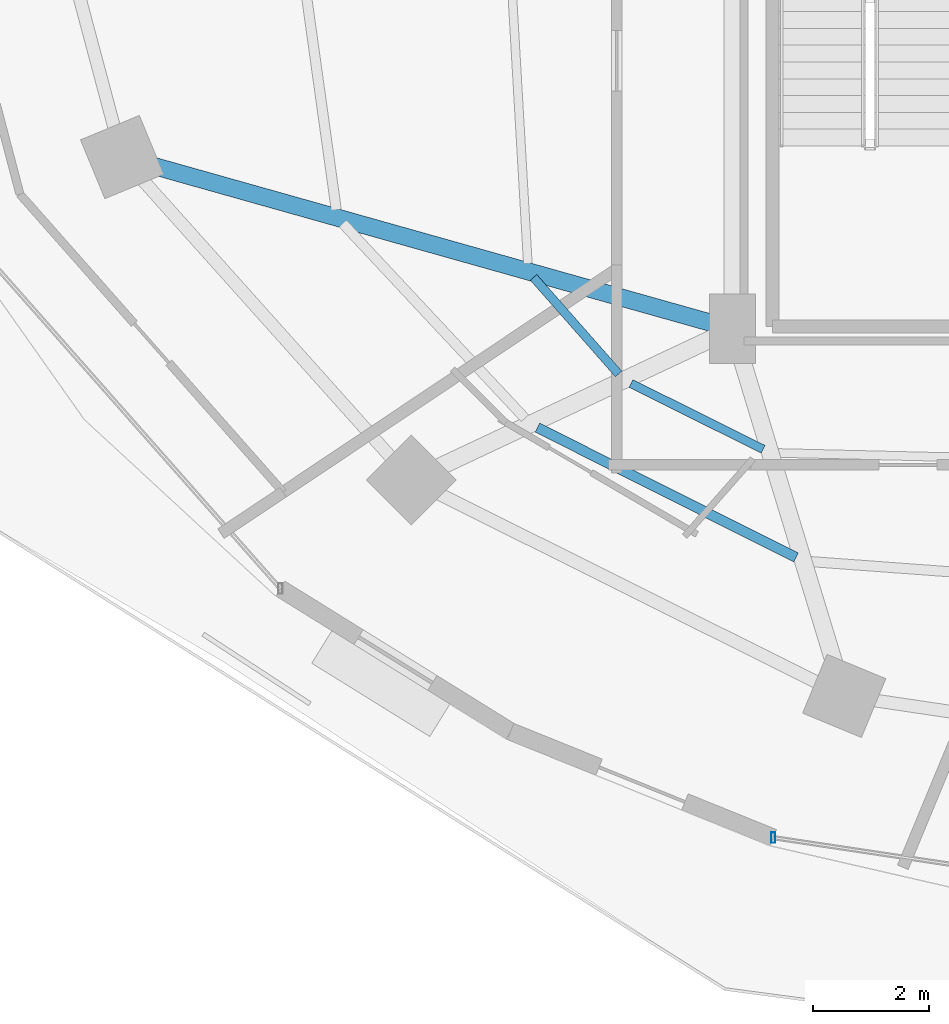
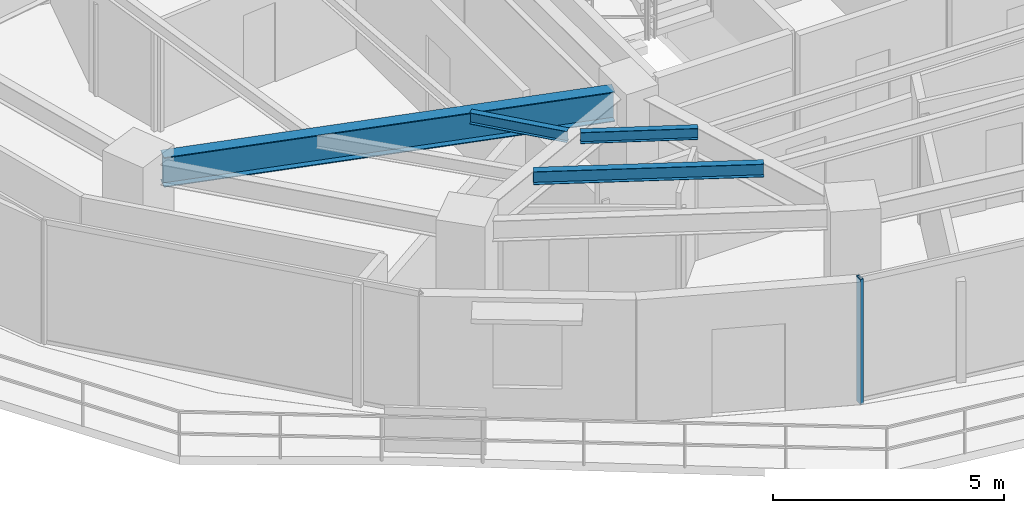
# One storey, part 4 of 29: 4 beams, 1 member, 1 element without a shape of its own.
"""IFC4 building model written with IfcOpenShell, lengths in metres."""

from ifc_helpers import new_model, si_unit, direction, frame, origin, origin_2d, place, context, subcontext, project, spatial, hollow_rectangle, i_section, extrude, material, material_profile, profile_set, type_object, element, aggregate, save


model = new_model("IFC4")

# Units and contexts
model_context = context("Model", 3, precision=1e-05, world=origin(), true_north=direction((0.0, 1.0)))
body_context = subcontext(model_context, "Body", "Model", "MODEL_VIEW")
ifc_project = project(units=[si_unit("LENGTHUNIT", "METRE"), si_unit("AREAUNIT", "SQUARE_METRE"), si_unit("VOLUMEUNIT", "CUBIC_METRE"), si_unit("PLANEANGLEUNIT", "RADIAN"), si_unit("MASSUNIT", "GRAM", prefix="KILO")], contexts=[model_context])

# Site, building, storey
site_placement = place(None, origin())
site = spatial("IfcSite", under=ifc_project, at=site_placement, CompositionType="ELEMENT")
building_placement = place(site_placement, origin())
building = spatial("IfcBuilding", under=site, at=building_placement, Name="Vorneva Point Tower", CompositionType="ELEMENT")
storey_placement = place(building_placement, frame((0.0, 0.0, 85.800048828125)))
storey = spatial("IfcBuildingStorey", under=building, at=storey_placement, Name="L22", CompositionType="ELEMENT", Elevation=85.800048828125)

# Beams
ifc_material_1 = material(Name="Steel S355", Category="steel")
ifc_material_profile_1 = material_profile(ifc_material_1, i_section(OverallWidth=0.300048828125, OverallDepth=0.7880859375, WebThickness=0.014404296875, FlangeThickness=0.02197265625, at=origin_2d()), Name="80Sh1")
ifc_profile_set_1 = profile_set([ifc_material_profile_1], Name="Steel S355")
beam_type_1 = type_object("IfcBeamType", Name="BM-GRD-80Sh1", PredefinedType="USERDEFINED", material=ifc_profile_set_1)
beam_1_placement = place(storey_placement, frame((17.222412109375, 19.272216796875, 2.845947265625), z_axis=(0.962598038366, -0.270933601708, 0.0), x_axis=(0.270933601708, 0.962598038366, 0.0)))
element("IfcBeam", 1, at=beam_1_placement, inside=storey, type_object=beam_type_1, Name="L22 Radial Primary Girder 10", ObjectType="GIRDER", PredefinedType="USERDEFINED", context=body_context, shape_type="SweptSolid", body=[
    extrude(i_section(OverallWidth=0.300048828125, OverallDepth=0.7880859375, WebThickness=0.014404296875, FlangeThickness=0.02197265625, at=origin_2d()), origin(), (0.0, 0.0, 1.0), 10.0771484375),
])
ifc_material_profile_2 = material_profile(ifc_material_1, i_section(OverallWidth=0.14892578125, OverallDepth=0.298095703125, WebThickness=0.005615234375, FlangeThickness=0.008056640625, at=origin_2d()), Name="30B1")
ifc_profile_set_2 = profile_set([ifc_material_profile_2], Name="Steel S355")
beam_type_2 = type_object("IfcBeamType", Name="BM-JST-30B1", PredefinedType="JOIST", material=ifc_profile_set_2)
beam_2_placement = place(storey_placement, frame((23.812744140625, 17.33935546875, 3.091064453125), z_axis=(0.660778844384, -0.750580654437, 0.0), x_axis=(0.750580654437, 0.660778844384, 0.0)))
element("IfcBeam", 2, at=beam_2_placement, inside=storey, type_object=beam_type_2, Name="L22 Secondary Floor Beam 2.10", PredefinedType="JOIST", context=body_context, shape_type="SweptSolid", body=[
    extrude(i_section(OverallWidth=0.14892578125, OverallDepth=0.298095703125, WebThickness=0.005615234375, FlangeThickness=0.008056640625, at=origin_2d()), origin(), (0.0, 0.0, 1.0), 2.223876953125),
])
beam_3_placement = place(storey_placement, frame((25.4970703125, 15.505126953125, 3.091064453125), z_axis=(0.895364579083, -0.445333886566, 0.0), x_axis=(0.445333886566, 0.895364579083, 0.0)))
element("IfcBeam", 3, at=beam_3_placement, inside=storey, type_object=beam_type_2, Name="L22 Secondary Floor Beam 2.11", PredefinedType="JOIST", context=body_context, shape_type="SweptSolid", body=[
    extrude(i_section(OverallWidth=0.14892578125, OverallDepth=0.298095703125, WebThickness=0.005615234375, FlangeThickness=0.008056640625, at=origin_2d()), origin(), (0.0, 0.0, 1.0), 2.547119140625),
])
ifc_material_profile_3 = material_profile(ifc_material_1, i_section(OverallWidth=0.174072265625, OverallDepth=0.345947265625, WebThickness=0.006103515625, FlangeThickness=0.009033203125, at=origin_2d()), Name="35B1")
ifc_profile_set_3 = profile_set([ifc_material_profile_3], Name="Steel S355")
beam_type_3 = type_object("IfcBeamType", Name="BM-SEC-35B1", PredefinedType="BEAM", material=ifc_profile_set_3)
beam_4_placement = place(storey_placement, frame((23.88037109375, 14.74365234375, 3.06689453125), z_axis=(0.893693254795, -0.448678466537, 0.0), x_axis=(0.448678466537, 0.893693254795, 0.0)))
element("IfcBeam", 4, at=beam_4_placement, inside=storey, type_object=beam_type_3, Name="L22 Secondary Floor Beam 1.11", PredefinedType="BEAM", context=body_context, shape_type="SweptSolid", body=[
    extrude(i_section(OverallWidth=0.174072265625, OverallDepth=0.345947265625, WebThickness=0.006103515625, FlangeThickness=0.009033203125, at=origin_2d()), origin(), (0.0, 0.0, 1.0), 4.997802734375),
])

# Curtain wall, member
ifc_material_2 = material(Name="Pale anodised aluminium", Category="aluminium")
curtain_wall_type = type_object("IfcCurtainWallType", Name="CW-HTL-SYS", PredefinedType="NOTDEFINED", material=ifc_material_2)
curtain_wall_placement = place(storey_placement, origin())
curtain_wall = element("IfcCurtainWall", 5, at=curtain_wall_placement, inside=storey, type_object=curtain_wall_type, Name="L22 Unitised Curtain Wall CW-L22-R03", PredefinedType="NOTDEFINED")
ifc_material_profile_4 = material_profile(ifc_material_2, hollow_rectangle(XDim=0.074951171875, YDim=0.179931640625, WallThickness=0.00390625, at=origin_2d()), Name="AL-MUL 180x75x4")
ifc_profile_set_4 = profile_set([ifc_material_profile_4], Name="Pale anodised aluminium")
member_type = type_object("IfcMemberType", Name="CW-MUL-180", PredefinedType="MULLION", material=ifc_profile_set_4)
member_placement = place(storey_placement, frame((27.95458984375, 7.660888671875, -0.0400390625), z_axis=(0.0, 0.0, 1.0), x_axis=(1.0, 0.0, 0.0)))
member = element("IfcMember", 6, at=member_placement, type_object=member_type, Name="CW-L22-R03 Mullion 01", PredefinedType="MULLION", context=body_context, shape_type="SweptSolid", body=[
    extrude(hollow_rectangle(XDim=0.074951171875, YDim=0.179931640625, WallThickness=0.00390625, at=origin_2d()), origin(), (0.0, 0.0, 1.0), 3.31005859375),
])
aggregate(curtain_wall, [member])

save(model, "model.ifc")
